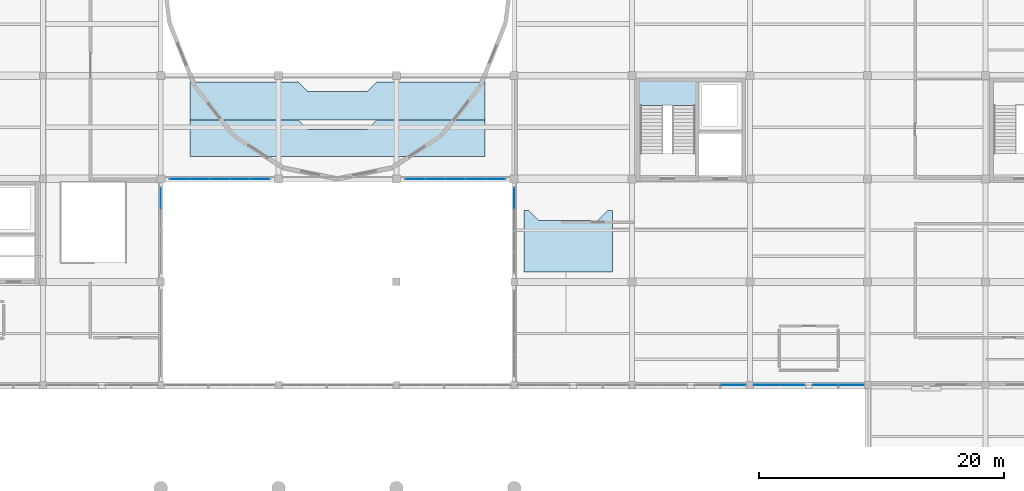
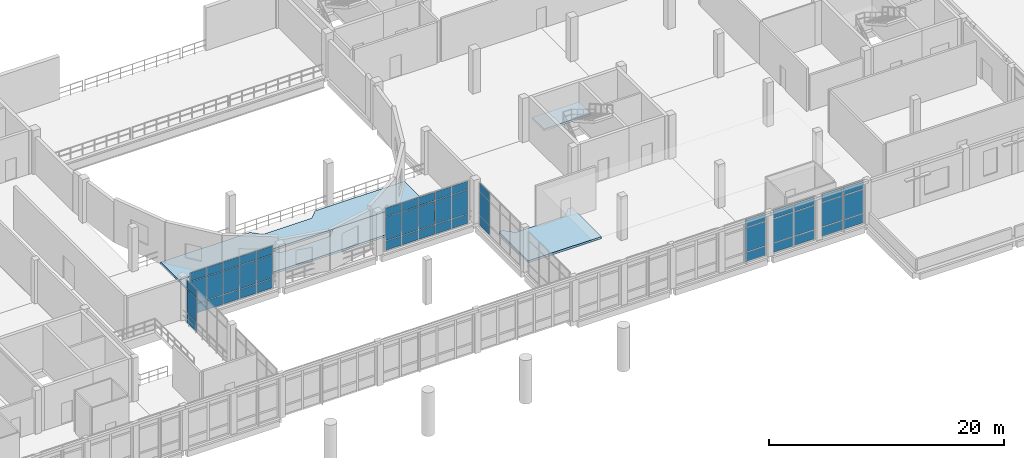
# One storey, part 66 of 88: 51 plates, 4 slabs, 8 elements without a shape of their own.
"""IFC4 building model written with IfcOpenShell, lengths in metres."""

from ifc_helpers import new_model, si_unit, direction, frame, origin, origin_2d, place, context, subcontext, project, spatial, polyline, rectangle, outline, extrude, material, layer, layer_set, type_object, element, aggregate, save


model = new_model("IFC4")

# Units and contexts
model_context = context("Model", 3, precision=1e-05, world=origin(), true_north=direction((0.0, 1.0)))
body_context = subcontext(model_context, "Body", "Model", "MODEL_VIEW")
ifc_project = project(units=[si_unit("LENGTHUNIT", "METRE"), si_unit("AREAUNIT", "SQUARE_METRE"), si_unit("VOLUMEUNIT", "CUBIC_METRE"), si_unit("PLANEANGLEUNIT", "RADIAN"), si_unit("MASSUNIT", "GRAM", prefix="KILO")], contexts=[model_context])

# Site, building, storey
site_placement = place(None, origin())
site = spatial("IfcSite", under=ifc_project, at=site_placement, CompositionType="ELEMENT")
building_placement = place(site_placement, origin())
building = spatial("IfcBuilding", under=site, at=building_placement, Name="Lornevale Opera House", CompositionType="ELEMENT")
storey_placement = place(building_placement, frame((0.0, 0.0, 10.199951171875)))
storey = spatial("IfcBuildingStorey", under=building, at=storey_placement, Name="L03", CompositionType="ELEMENT", Elevation=10.199951171875)

# Curtain wall, plates
ifc_material_1 = material(Name="Anodized Oxide-Green Aluminium Framing", Category="aluminium")
ifc_layer_1 = layer(ifc_material_1, 0.14990234375)
ifc_layer_set_1 = layer_set([ifc_layer_1], Name="Anodized Oxide-Green Aluminium Framing")
curtain_wall_type_1 = type_object("IfcCurtainWallType", Name="North-Light Clerestory Curtain Wall M1600", PredefinedType="NOTDEFINED", material=ifc_layer_set_1)
curtain_wall_1_placement = place(storey_placement, origin())
curtain_wall_1 = element("IfcCurtainWall", 1, at=curtain_wall_1_placement, inside=storey, type_object=curtain_wall_type_1, Name="North-Light Clerestory Curtain Wall M1600 CW-178", PredefinedType="NOTDEFINED")
ifc_material_2 = material(Name="Triple Low-E Insulated Glazing", Category="glass")
ifc_layer_2 = layer(ifc_material_2, 0.033935546875)
ifc_layer_set_2 = layer_set([ifc_layer_2], Name="Triple Low-E Insulated Glazing")
plate_type_1 = type_object("IfcPlateType", Name="Clerestory Diffusing Glazing Panel 34", PredefinedType="CURTAIN_PANEL", material=ifc_layer_set_2)
plate_1_placement = place(storey_placement, frame((67.199951171875, 32.010009765625, 0.06005859375), z_axis=(0.0, 0.0, 1.0), x_axis=(0.0, 1.0, 0.0)))
plate_1 = element("IfcPlate", 2, at=plate_1_placement, type_object=plate_type_1, Name="Clerestory Diffusing Glazing Panel 34 CW3736", PredefinedType="CURTAIN_PANEL", context=body_context, shape_type="SweptSolid", body=[
    extrude(rectangle(XDim=1.659912109375, YDim=0.033935546875, at=origin_2d()), origin(), (0.0, 0.0, 1.0), 0.9599609375),
])
plate_2_placement = place(storey_placement, frame((67.199951171875, 32.010009765625, 1.080078125), z_axis=(0.0, 0.0, 1.0), x_axis=(0.0, 1.0, 0.0)))
plate_2 = element("IfcPlate", 3, at=plate_2_placement, type_object=plate_type_1, Name="Clerestory Diffusing Glazing Panel 34 CW3737", PredefinedType="CURTAIN_PANEL", context=body_context, shape_type="SweptSolid", body=[
    extrude(rectangle(XDim=1.659912109375, YDim=0.033935546875, at=origin_2d()), origin(), (0.0, 0.0, 1.0), 2.43994140625),
])
plate_3_placement = place(storey_placement, frame((67.199951171875, 32.010009765625, 3.580078125), z_axis=(0.0, 0.0, 1.0), x_axis=(0.0, 1.0, 0.0)))
plate_3 = element("IfcPlate", 4, at=plate_3_placement, type_object=plate_type_1, Name="Clerestory Diffusing Glazing Panel 34 CW3738", PredefinedType="CURTAIN_PANEL", context=body_context, shape_type="SweptSolid", body=[
    extrude(rectangle(XDim=1.659912109375, YDim=0.033935546875, at=origin_2d()), origin(), (0.0, 0.0, 1.0), 0.860107421875),
])
aggregate(curtain_wall_1, [plate_1, plate_2, plate_3])

curtain_wall_2_placement = place(storey_placement, origin())
curtain_wall_2 = element("IfcCurtainWall", 5, at=curtain_wall_2_placement, inside=storey, type_object=curtain_wall_type_1, Name="North-Light Clerestory Curtain Wall M1600 CW-179", PredefinedType="NOTDEFINED")
plate_4_placement = place(storey_placement, frame((96.0, 32.010009765625, 0.06005859375), z_axis=(0.0, 0.0, 1.0), x_axis=(0.0, -1.0, 0.0)))
plate_4 = element("IfcPlate", 6, at=plate_4_placement, type_object=plate_type_1, Name="Clerestory Diffusing Glazing Panel 34 CW3748", PredefinedType="CURTAIN_PANEL", context=body_context, shape_type="SweptSolid", body=[
    extrude(rectangle(XDim=1.659912109375, YDim=0.033935546875, at=origin_2d()), origin(), (0.0, 0.0, 1.0), 0.9599609375),
])
plate_5_placement = place(storey_placement, frame((96.0, 32.010009765625, 1.080078125), z_axis=(0.0, 0.0, 1.0), x_axis=(0.0, -1.0, 0.0)))
plate_5 = element("IfcPlate", 7, at=plate_5_placement, type_object=plate_type_1, Name="Clerestory Diffusing Glazing Panel 34 CW3749", PredefinedType="CURTAIN_PANEL", context=body_context, shape_type="SweptSolid", body=[
    extrude(rectangle(XDim=1.659912109375, YDim=0.033935546875, at=origin_2d()), origin(), (0.0, 0.0, 1.0), 2.43994140625),
])
plate_6_placement = place(storey_placement, frame((96.0, 32.010009765625, 3.580078125), z_axis=(0.0, 0.0, 1.0), x_axis=(0.0, -1.0, 0.0)))
plate_6 = element("IfcPlate", 8, at=plate_6_placement, type_object=plate_type_1, Name="Clerestory Diffusing Glazing Panel 34 CW3750", PredefinedType="CURTAIN_PANEL", context=body_context, shape_type="SweptSolid", body=[
    extrude(rectangle(XDim=1.659912109375, YDim=0.033935546875, at=origin_2d()), origin(), (0.0, 0.0, 1.0), 0.860107421875),
])
aggregate(curtain_wall_2, [plate_4, plate_5, plate_6])

curtain_wall_3_placement = place(storey_placement, origin())
curtain_wall_3 = element("IfcCurtainWall", 9, at=curtain_wall_3_placement, inside=storey, type_object=curtain_wall_type_1, Name="North-Light Clerestory Curtain Wall M1600 CW-181", PredefinedType="NOTDEFINED")
plate_7_placement = place(storey_placement, frame((68.735107421875, 33.60009765625, 0.06005859375), z_axis=(0.0, 0.0, 1.0), x_axis=(1.0, 0.0, 0.0)))
plate_7 = element("IfcPlate", 10, at=plate_7_placement, type_object=plate_type_1, Name="Clerestory Diffusing Glazing Panel 34 CW3815", PredefinedType="CURTAIN_PANEL", context=body_context, shape_type="SweptSolid", body=[
    extrude(rectangle(XDim=1.550048828125, YDim=0.033935546875, at=origin_2d()), origin(), (0.0, 0.0, 1.0), 0.9599609375),
])
plate_8_placement = place(storey_placement, frame((68.735107421875, 33.60009765625, 1.080078125), z_axis=(0.0, 0.0, 1.0), x_axis=(1.0, 0.0, 0.0)))
plate_8 = element("IfcPlate", 11, at=plate_8_placement, type_object=plate_type_1, Name="Clerestory Diffusing Glazing Panel 34 CW3816", PredefinedType="CURTAIN_PANEL", context=body_context, shape_type="SweptSolid", body=[
    extrude(rectangle(XDim=1.550048828125, YDim=0.033935546875, at=origin_2d()), origin(), (0.0, 0.0, 1.0), 2.43994140625),
])
plate_9_placement = place(storey_placement, frame((68.735107421875, 33.60009765625, 3.580078125), z_axis=(0.0, 0.0, 1.0), x_axis=(1.0, 0.0, 0.0)))
plate_9 = element("IfcPlate", 12, at=plate_9_placement, type_object=plate_type_1, Name="Clerestory Diffusing Glazing Panel 34 CW3817", PredefinedType="CURTAIN_PANEL", context=body_context, shape_type="SweptSolid", body=[
    extrude(rectangle(XDim=1.550048828125, YDim=0.033935546875, at=origin_2d()), origin(), (0.0, 0.0, 1.0), 0.860107421875),
])
plate_10_placement = place(storey_placement, frame((70.360107421875, 33.60009765625, 0.06005859375), z_axis=(0.0, 0.0, 1.0), x_axis=(1.0, 0.0, 0.0)))
plate_10 = element("IfcPlate", 13, at=plate_10_placement, type_object=plate_type_1, Name="Clerestory Diffusing Glazing Panel 34 CW3822", PredefinedType="CURTAIN_PANEL", context=body_context, shape_type="SweptSolid", body=[
    extrude(rectangle(XDim=1.580078125, YDim=0.033935546875, at=origin_2d()), origin(), (0.0, 0.0, 1.0), 0.9599609375),
])
plate_11_placement = place(storey_placement, frame((70.360107421875, 33.60009765625, 1.080078125), z_axis=(0.0, 0.0, 1.0), x_axis=(1.0, 0.0, 0.0)))
plate_11 = element("IfcPlate", 14, at=plate_11_placement, type_object=plate_type_1, Name="Clerestory Diffusing Glazing Panel 34 CW3823", PredefinedType="CURTAIN_PANEL", context=body_context, shape_type="SweptSolid", body=[
    extrude(rectangle(XDim=1.580078125, YDim=0.033935546875, at=origin_2d()), origin(), (0.0, 0.0, 1.0), 2.43994140625),
])
plate_12_placement = place(storey_placement, frame((70.360107421875, 33.60009765625, 3.580078125), z_axis=(0.0, 0.0, 1.0), x_axis=(1.0, 0.0, 0.0)))
plate_12 = element("IfcPlate", 15, at=plate_12_placement, type_object=plate_type_1, Name="Clerestory Diffusing Glazing Panel 34 CW3824", PredefinedType="CURTAIN_PANEL", context=body_context, shape_type="SweptSolid", body=[
    extrude(rectangle(XDim=1.580078125, YDim=0.033935546875, at=origin_2d()), origin(), (0.0, 0.0, 1.0), 0.860107421875),
])
plate_13_placement = place(storey_placement, frame((72.0, 33.60009765625, 0.06005859375), z_axis=(0.0, 0.0, 1.0), x_axis=(1.0, 0.0, 0.0)))
plate_13 = element("IfcPlate", 16, at=plate_13_placement, type_object=plate_type_1, Name="Clerestory Diffusing Glazing Panel 34 CW3829", PredefinedType="CURTAIN_PANEL", context=body_context, shape_type="SweptSolid", body=[
    extrude(rectangle(XDim=1.580078125, YDim=0.033935546875, at=origin_2d()), origin(), (0.0, 0.0, 1.0), 0.9599609375),
])
plate_14_placement = place(storey_placement, frame((72.0, 33.60009765625, 1.080078125), z_axis=(0.0, 0.0, 1.0), x_axis=(1.0, 0.0, 0.0)))
plate_14 = element("IfcPlate", 17, at=plate_14_placement, type_object=plate_type_1, Name="Clerestory Diffusing Glazing Panel 34 CW3830", PredefinedType="CURTAIN_PANEL", context=body_context, shape_type="SweptSolid", body=[
    extrude(rectangle(XDim=1.580078125, YDim=0.033935546875, at=origin_2d()), origin(), (0.0, 0.0, 1.0), 2.43994140625),
])
plate_15_placement = place(storey_placement, frame((72.0, 33.60009765625, 3.580078125), z_axis=(0.0, 0.0, 1.0), x_axis=(1.0, 0.0, 0.0)))
plate_15 = element("IfcPlate", 18, at=plate_15_placement, type_object=plate_type_1, Name="Clerestory Diffusing Glazing Panel 34 CW3831", PredefinedType="CURTAIN_PANEL", context=body_context, shape_type="SweptSolid", body=[
    extrude(rectangle(XDim=1.580078125, YDim=0.033935546875, at=origin_2d()), origin(), (0.0, 0.0, 1.0), 0.860107421875),
])
plate_16_placement = place(storey_placement, frame((73.639892578125, 33.60009765625, 0.06005859375), z_axis=(0.0, 0.0, 1.0), x_axis=(1.0, 0.0, 0.0)))
plate_16 = element("IfcPlate", 19, at=plate_16_placement, type_object=plate_type_1, Name="Clerestory Diffusing Glazing Panel 34 CW3836", PredefinedType="CURTAIN_PANEL", context=body_context, shape_type="SweptSolid", body=[
    extrude(rectangle(XDim=1.580078125, YDim=0.033935546875, at=origin_2d()), origin(), (0.0, 0.0, 1.0), 0.9599609375),
])
plate_17_placement = place(storey_placement, frame((73.639892578125, 33.60009765625, 1.080078125), z_axis=(0.0, 0.0, 1.0), x_axis=(1.0, 0.0, 0.0)))
plate_17 = element("IfcPlate", 20, at=plate_17_placement, type_object=plate_type_1, Name="Clerestory Diffusing Glazing Panel 34 CW3837", PredefinedType="CURTAIN_PANEL", context=body_context, shape_type="SweptSolid", body=[
    extrude(rectangle(XDim=1.580078125, YDim=0.033935546875, at=origin_2d()), origin(), (0.0, 0.0, 1.0), 2.43994140625),
])
plate_18_placement = place(storey_placement, frame((73.639892578125, 33.60009765625, 3.580078125), z_axis=(0.0, 0.0, 1.0), x_axis=(1.0, 0.0, 0.0)))
plate_18 = element("IfcPlate", 21, at=plate_18_placement, type_object=plate_type_1, Name="Clerestory Diffusing Glazing Panel 34 CW3838", PredefinedType="CURTAIN_PANEL", context=body_context, shape_type="SweptSolid", body=[
    extrude(rectangle(XDim=1.580078125, YDim=0.033935546875, at=origin_2d()), origin(), (0.0, 0.0, 1.0), 0.860107421875),
])
plate_19_placement = place(storey_placement, frame((75.264892578125, 33.60009765625, 0.06005859375), z_axis=(0.0, 0.0, 1.0), x_axis=(1.0, 0.0, 0.0)))
plate_19 = element("IfcPlate", 22, at=plate_19_placement, type_object=plate_type_1, Name="Clerestory Diffusing Glazing Panel 34 CW3843", PredefinedType="CURTAIN_PANEL", context=body_context, shape_type="SweptSolid", body=[
    extrude(rectangle(XDim=1.550048828125, YDim=0.033935546875, at=origin_2d()), origin(), (0.0, 0.0, 1.0), 0.9599609375),
])
plate_20_placement = place(storey_placement, frame((75.264892578125, 33.60009765625, 1.080078125), z_axis=(0.0, 0.0, 1.0), x_axis=(1.0, 0.0, 0.0)))
plate_20 = element("IfcPlate", 23, at=plate_20_placement, type_object=plate_type_1, Name="Clerestory Diffusing Glazing Panel 34 CW3844", PredefinedType="CURTAIN_PANEL", context=body_context, shape_type="SweptSolid", body=[
    extrude(rectangle(XDim=1.550048828125, YDim=0.033935546875, at=origin_2d()), origin(), (0.0, 0.0, 1.0), 2.43994140625),
])
plate_21_placement = place(storey_placement, frame((75.264892578125, 33.60009765625, 3.580078125), z_axis=(0.0, 0.0, 1.0), x_axis=(1.0, 0.0, 0.0)))
plate_21 = element("IfcPlate", 24, at=plate_21_placement, type_object=plate_type_1, Name="Clerestory Diffusing Glazing Panel 34 CW3845", PredefinedType="CURTAIN_PANEL", context=body_context, shape_type="SweptSolid", body=[
    extrude(rectangle(XDim=1.550048828125, YDim=0.033935546875, at=origin_2d()), origin(), (0.0, 0.0, 1.0), 0.860107421875),
])
aggregate(curtain_wall_3, [plate_7, plate_8, plate_9, plate_10, plate_11, plate_12, plate_13, plate_14, plate_15, plate_16, plate_17, plate_18, plate_19, plate_20, plate_21])

curtain_wall_4_placement = place(storey_placement, origin())
curtain_wall_4 = element("IfcCurtainWall", 25, at=curtain_wall_4_placement, inside=storey, type_object=curtain_wall_type_1, Name="North-Light Clerestory Curtain Wall M1600 CW-182", PredefinedType="NOTDEFINED")
plate_22_placement = place(storey_placement, frame((87.93505859375, 33.60009765625, 0.06005859375), z_axis=(0.0, 0.0, 1.0), x_axis=(1.0, 0.0, 0.0)))
plate_22 = element("IfcPlate", 26, at=plate_22_placement, type_object=plate_type_1, Name="Clerestory Diffusing Glazing Panel 34 CW3856", PredefinedType="CURTAIN_PANEL", context=body_context, shape_type="SweptSolid", body=[
    extrude(rectangle(XDim=1.550048828125, YDim=0.033935546875, at=origin_2d()), origin(), (0.0, 0.0, 1.0), 0.9599609375),
])
plate_23_placement = place(storey_placement, frame((87.93505859375, 33.60009765625, 1.080078125), z_axis=(0.0, 0.0, 1.0), x_axis=(1.0, 0.0, 0.0)))
plate_23 = element("IfcPlate", 27, at=plate_23_placement, type_object=plate_type_1, Name="Clerestory Diffusing Glazing Panel 34 CW3857", PredefinedType="CURTAIN_PANEL", context=body_context, shape_type="SweptSolid", body=[
    extrude(rectangle(XDim=1.550048828125, YDim=0.033935546875, at=origin_2d()), origin(), (0.0, 0.0, 1.0), 2.43994140625),
])
plate_24_placement = place(storey_placement, frame((87.93505859375, 33.60009765625, 3.580078125), z_axis=(0.0, 0.0, 1.0), x_axis=(1.0, 0.0, 0.0)))
plate_24 = element("IfcPlate", 28, at=plate_24_placement, type_object=plate_type_1, Name="Clerestory Diffusing Glazing Panel 34 CW3858", PredefinedType="CURTAIN_PANEL", context=body_context, shape_type="SweptSolid", body=[
    extrude(rectangle(XDim=1.550048828125, YDim=0.033935546875, at=origin_2d()), origin(), (0.0, 0.0, 1.0), 0.860107421875),
])
plate_25_placement = place(storey_placement, frame((89.56005859375, 33.60009765625, 0.06005859375), z_axis=(0.0, 0.0, 1.0), x_axis=(1.0, 0.0, 0.0)))
plate_25 = element("IfcPlate", 29, at=plate_25_placement, type_object=plate_type_1, Name="Clerestory Diffusing Glazing Panel 34 CW3863", PredefinedType="CURTAIN_PANEL", context=body_context, shape_type="SweptSolid", body=[
    extrude(rectangle(XDim=1.580078125, YDim=0.033935546875, at=origin_2d()), origin(), (0.0, 0.0, 1.0), 0.9599609375),
])
plate_26_placement = place(storey_placement, frame((89.56005859375, 33.60009765625, 1.080078125), z_axis=(0.0, 0.0, 1.0), x_axis=(1.0, 0.0, 0.0)))
plate_26 = element("IfcPlate", 30, at=plate_26_placement, type_object=plate_type_1, Name="Clerestory Diffusing Glazing Panel 34 CW3864", PredefinedType="CURTAIN_PANEL", context=body_context, shape_type="SweptSolid", body=[
    extrude(rectangle(XDim=1.580078125, YDim=0.033935546875, at=origin_2d()), origin(), (0.0, 0.0, 1.0), 2.43994140625),
])
plate_27_placement = place(storey_placement, frame((89.56005859375, 33.60009765625, 3.580078125), z_axis=(0.0, 0.0, 1.0), x_axis=(1.0, 0.0, 0.0)))
plate_27 = element("IfcPlate", 31, at=plate_27_placement, type_object=plate_type_1, Name="Clerestory Diffusing Glazing Panel 34 CW3865", PredefinedType="CURTAIN_PANEL", context=body_context, shape_type="SweptSolid", body=[
    extrude(rectangle(XDim=1.580078125, YDim=0.033935546875, at=origin_2d()), origin(), (0.0, 0.0, 1.0), 0.860107421875),
])
plate_28_placement = place(storey_placement, frame((91.199951171875, 33.60009765625, 0.06005859375), z_axis=(0.0, 0.0, 1.0), x_axis=(1.0, 0.0, 0.0)))
plate_28 = element("IfcPlate", 32, at=plate_28_placement, type_object=plate_type_1, Name="Clerestory Diffusing Glazing Panel 34 CW3870", PredefinedType="CURTAIN_PANEL", context=body_context, shape_type="SweptSolid", body=[
    extrude(rectangle(XDim=1.580078125, YDim=0.033935546875, at=origin_2d()), origin(), (0.0, 0.0, 1.0), 0.9599609375),
])
plate_29_placement = place(storey_placement, frame((91.199951171875, 33.60009765625, 1.080078125), z_axis=(0.0, 0.0, 1.0), x_axis=(1.0, 0.0, 0.0)))
plate_29 = element("IfcPlate", 33, at=plate_29_placement, type_object=plate_type_1, Name="Clerestory Diffusing Glazing Panel 34 CW3871", PredefinedType="CURTAIN_PANEL", context=body_context, shape_type="SweptSolid", body=[
    extrude(rectangle(XDim=1.580078125, YDim=0.033935546875, at=origin_2d()), origin(), (0.0, 0.0, 1.0), 2.43994140625),
])
plate_30_placement = place(storey_placement, frame((91.199951171875, 33.60009765625, 3.580078125), z_axis=(0.0, 0.0, 1.0), x_axis=(1.0, 0.0, 0.0)))
plate_30 = element("IfcPlate", 34, at=plate_30_placement, type_object=plate_type_1, Name="Clerestory Diffusing Glazing Panel 34 CW3872", PredefinedType="CURTAIN_PANEL", context=body_context, shape_type="SweptSolid", body=[
    extrude(rectangle(XDim=1.580078125, YDim=0.033935546875, at=origin_2d()), origin(), (0.0, 0.0, 1.0), 0.860107421875),
])
plate_31_placement = place(storey_placement, frame((92.840087890625, 33.60009765625, 0.06005859375), z_axis=(0.0, 0.0, 1.0), x_axis=(1.0, 0.0, 0.0)))
plate_31 = element("IfcPlate", 35, at=plate_31_placement, type_object=plate_type_1, Name="Clerestory Diffusing Glazing Panel 34 CW3877", PredefinedType="CURTAIN_PANEL", context=body_context, shape_type="SweptSolid", body=[
    extrude(rectangle(XDim=1.580078125, YDim=0.033935546875, at=origin_2d()), origin(), (0.0, 0.0, 1.0), 0.9599609375),
])
plate_32_placement = place(storey_placement, frame((92.840087890625, 33.60009765625, 1.080078125), z_axis=(0.0, 0.0, 1.0), x_axis=(1.0, 0.0, 0.0)))
plate_32 = element("IfcPlate", 36, at=plate_32_placement, type_object=plate_type_1, Name="Clerestory Diffusing Glazing Panel 34 CW3878", PredefinedType="CURTAIN_PANEL", context=body_context, shape_type="SweptSolid", body=[
    extrude(rectangle(XDim=1.580078125, YDim=0.033935546875, at=origin_2d()), origin(), (0.0, 0.0, 1.0), 2.43994140625),
])
plate_33_placement = place(storey_placement, frame((92.840087890625, 33.60009765625, 3.580078125), z_axis=(0.0, 0.0, 1.0), x_axis=(1.0, 0.0, 0.0)))
plate_33 = element("IfcPlate", 37, at=plate_33_placement, type_object=plate_type_1, Name="Clerestory Diffusing Glazing Panel 34 CW3879", PredefinedType="CURTAIN_PANEL", context=body_context, shape_type="SweptSolid", body=[
    extrude(rectangle(XDim=1.580078125, YDim=0.033935546875, at=origin_2d()), origin(), (0.0, 0.0, 1.0), 0.860107421875),
])
plate_34_placement = place(storey_placement, frame((94.465087890625, 33.60009765625, 0.06005859375), z_axis=(0.0, 0.0, 1.0), x_axis=(1.0, 0.0, 0.0)))
plate_34 = element("IfcPlate", 38, at=plate_34_placement, type_object=plate_type_1, Name="Clerestory Diffusing Glazing Panel 34 CW3884", PredefinedType="CURTAIN_PANEL", context=body_context, shape_type="SweptSolid", body=[
    extrude(rectangle(XDim=1.550048828125, YDim=0.033935546875, at=origin_2d()), origin(), (0.0, 0.0, 1.0), 0.9599609375),
])
plate_35_placement = place(storey_placement, frame((94.465087890625, 33.60009765625, 1.080078125), z_axis=(0.0, 0.0, 1.0), x_axis=(1.0, 0.0, 0.0)))
plate_35 = element("IfcPlate", 39, at=plate_35_placement, type_object=plate_type_1, Name="Clerestory Diffusing Glazing Panel 34 CW3885", PredefinedType="CURTAIN_PANEL", context=body_context, shape_type="SweptSolid", body=[
    extrude(rectangle(XDim=1.550048828125, YDim=0.033935546875, at=origin_2d()), origin(), (0.0, 0.0, 1.0), 2.43994140625),
])
plate_36_placement = place(storey_placement, frame((94.465087890625, 33.60009765625, 3.580078125), z_axis=(0.0, 0.0, 1.0), x_axis=(1.0, 0.0, 0.0)))
plate_36 = element("IfcPlate", 40, at=plate_36_placement, type_object=plate_type_1, Name="Clerestory Diffusing Glazing Panel 34 CW3886", PredefinedType="CURTAIN_PANEL", context=body_context, shape_type="SweptSolid", body=[
    extrude(rectangle(XDim=1.550048828125, YDim=0.033935546875, at=origin_2d()), origin(), (0.0, 0.0, 1.0), 0.860107421875),
])
aggregate(curtain_wall_4, [plate_22, plate_23, plate_24, plate_25, plate_26, plate_27, plate_28, plate_29, plate_30, plate_31, plate_32, plate_33, plate_34, plate_35, plate_36])

# Slabs
ifc_material_3 = material(Name="Concrete 35 MPa (CSA A23.1 N)", Category="concrete")
ifc_layer_3 = layer(ifc_material_3, 0.2099609375)
ifc_layer_set_3 = layer_set([ifc_layer_3], Name="Concrete 35 MPa (CSA A23.1 N)")
slab_type_1 = type_object("IfcSlabType", Name="Raked Seating Tier Platform 210", PredefinedType="USERDEFINED", material=ifc_layer_set_3)
slab_1_placement = place(storey_placement, frame((0.0, 0.0, -0.010009765625)))
element("IfcSlab", 41, at=slab_1_placement, inside=storey, type_object=slab_type_1, Name="Raked Seating Tier Platform 210 SL-099", ObjectType="SEATING TIER", PredefinedType="USERDEFINED", context=body_context, shape_type="SweptSolid", body=[
    extrude(outline(polyline([(69.60009765625, 35.39990234375), (93.60009765625, 35.39990234375), (93.60009765625, 38.39990234375), (84.800048828125, 38.39990234375), (84.0, 37.60009765625), (79.199951171875, 37.60009765625), (78.39990234375, 38.39990234375), (69.60009765625, 38.39990234375), (69.60009765625, 35.39990234375)])), origin(), (0.0, 0.0, 1.0), 0.219970703125),
])
slab_2_placement = place(storey_placement, frame((0.0, 0.0, -0.010009765625)))
element("IfcSlab", 42, at=slab_2_placement, inside=storey, type_object=slab_type_1, Name="Raked Seating Tier Platform 210 SL-100", ObjectType="SEATING TIER", PredefinedType="USERDEFINED", context=body_context, shape_type="SweptSolid", body=[
    extrude(outline(polyline([(69.60009765625, 38.39990234375), (93.60009765625, 38.39990234375), (93.60009765625, 41.5), (84.800048828125, 41.5), (84.0, 40.699951171875), (79.199951171875, 40.699951171875), (78.39990234375, 41.5), (69.60009765625, 41.5), (69.60009765625, 38.39990234375)])), origin(), (0.0, 0.0, 1.0), 0.219970703125),
])
slab_3_placement = place(storey_placement, frame((0.0, 0.0, -0.010009765625)))
element("IfcSlab", 43, at=slab_3_placement, inside=storey, type_object=slab_type_1, Name="Raked Seating Tier Platform 210 SL-108", ObjectType="SEATING TIER", PredefinedType="USERDEFINED", context=body_context, shape_type="SweptSolid", body=[
    extrude(outline(polyline([(96.800048828125, 26.0), (104.0, 26.0), (104.0, 31.0), (103.60009765625, 31.0), (102.800048828125, 30.199951171875), (98.0, 30.199951171875), (97.199951171875, 31.0), (96.800048828125, 31.0), (96.800048828125, 26.0)])), origin(), (0.0, 0.0, 1.0), 0.219970703125),
])

# Stair, slab
ifc_layer_4 = layer(ifc_material_3, 4.800048828125)
ifc_layer_set_4 = layer_set([ifc_layer_4], Name="Concrete 35 MPa (CSA A23.1 N)")
stair_type = type_object("IfcStairType", Name="Protected Exit Stair 4800-W1840", PredefinedType="TWO_STRAIGHT_RUN_STAIR", material=ifc_layer_set_4)
stair_placement = place(storey_placement, origin())
stair = element("IfcStair", 44, at=stair_placement, inside=storey, type_object=stair_type, Name="South-East Foyer Core Stair ST-08 (L03-L04)", PredefinedType="TWO_STRAIGHT_RUN_STAIR")
ifc_layer_5 = layer(ifc_material_3, 0.219970703125)
ifc_layer_set_5 = layer_set([ifc_layer_5], Name="Concrete 35 MPa (CSA A23.1 N)")
slab_type_2 = type_object("IfcSlabType", Name="Stair Half-Landing Slab 220", PredefinedType="LANDING", material=ifc_layer_set_5)
slab_4_placement = place(storey_placement, frame((0.0, 0.0, 2.179931640625)))
slab_4 = element("IfcSlab", 45, at=slab_4_placement, type_object=slab_type_2, Name="ST-08 Half-Landing SL-LND-008", PredefinedType="LANDING", context=body_context, shape_type="SweptSolid", body=[
    extrude(outline(polyline([(106.199951171875, 39.56005859375), (110.800048828125, 39.56005859375), (110.800048828125, 41.580078125), (106.199951171875, 41.580078125), (106.199951171875, 39.56005859375)])), origin(), (0.0, 0.0, 1.0), 0.22021484375),
])
aggregate(stair, [slab_4])

# Curtain wall, plates
ifc_layer_6 = layer(ifc_material_1, 0.219970703125)
ifc_layer_set_6 = layer_set([ifc_layer_6], Name="Anodized Oxide-Green Aluminium Framing")
curtain_wall_type_2 = type_object("IfcCurtainWallType", Name="Winter-Garden Curtain Wall M1900", PredefinedType="NOTDEFINED", material=ifc_layer_set_6)
curtain_wall_5_placement = place(storey_placement, origin())
curtain_wall_5 = element("IfcCurtainWall", 46, at=curtain_wall_5_placement, inside=storey, type_object=curtain_wall_type_2, Name="Winter-Garden Curtain Wall M1900 CW-141", PredefinedType="NOTDEFINED")
ifc_layer_7 = layer(ifc_material_2, 0.0380859375)
ifc_layer_set_7 = layer_set([ifc_layer_7], Name="Triple Low-E Insulated Glazing")
plate_type_2 = type_object("IfcPlateType", Name="Triple Low-E Vision Panel 38", PredefinedType="CURTAIN_PANEL", material=ifc_layer_set_7)
plate_37_placement = place(storey_placement, frame((113.829345703125, 16.800048828125, 0.0751953125), z_axis=(0.0, 0.0, 1.0), x_axis=(-1.0, 0.0, 0.0)))
plate_37 = element("IfcPlate", 47, at=plate_37_placement, type_object=plate_type_2, Name="Triple Low-E Vision Panel 38 CW2956", PredefinedType="CURTAIN_PANEL", context=body_context, shape_type="SweptSolid", body=[
    extrude(rectangle(XDim=1.99951171875, YDim=0.0380859375, at=origin_2d()), origin(), (0.0, 0.0, 1.0), 0.9375),
])
plate_38_placement = place(storey_placement, frame((113.829345703125, 16.800048828125, 1.08740234375), z_axis=(0.0, 0.0, 1.0), x_axis=(-1.0, 0.0, 0.0)))
plate_38 = element("IfcPlate", 48, at=plate_38_placement, type_object=plate_type_2, Name="Triple Low-E Vision Panel 38 CW2957", PredefinedType="CURTAIN_PANEL", context=body_context, shape_type="SweptSolid", body=[
    extrude(rectangle(XDim=1.99951171875, YDim=0.0380859375, at=origin_2d()), origin(), (0.0, 0.0, 1.0), 2.465087890625),
])
plate_39_placement = place(storey_placement, frame((113.829345703125, 16.800048828125, 3.62744140625), z_axis=(0.0, 0.0, 1.0), x_axis=(-1.0, 0.0, 0.0)))
plate_39 = element("IfcPlate", 49, at=plate_39_placement, type_object=plate_type_2, Name="Triple Low-E Vision Panel 38 CW2958", PredefinedType="CURTAIN_PANEL", context=body_context, shape_type="SweptSolid", body=[
    extrude(rectangle(XDim=1.99951171875, YDim=0.0380859375, at=origin_2d()), origin(), (0.0, 0.0, 1.0), 0.83740234375),
])
aggregate(curtain_wall_5, [plate_37, plate_38, plate_39])

curtain_wall_6_placement = place(storey_placement, origin())
curtain_wall_6 = element("IfcCurtainWall", 50, at=curtain_wall_6_placement, inside=storey, type_object=curtain_wall_type_2, Name="Winter-Garden Curtain Wall M1900 CW-143", PredefinedType="NOTDEFINED")
plate_40_placement = place(storey_placement, frame((123.447998046875, 16.800048828125, 0.0751953125), z_axis=(0.0, 0.0, 1.0), x_axis=(-1.0, 0.0, 0.0)))
plate_40 = element("IfcPlate", 51, at=plate_40_placement, type_object=plate_type_2, Name="Triple Low-E Vision Panel 38 CW2990", PredefinedType="CURTAIN_PANEL", context=body_context, shape_type="SweptSolid", body=[
    extrude(rectangle(XDim=2.011962890625, YDim=0.0380859375, at=origin_2d()), origin(), (0.0, 0.0, 1.0), 0.9375),
])
plate_41_placement = place(storey_placement, frame((123.447998046875, 16.800048828125, 1.08740234375), z_axis=(0.0, 0.0, 1.0), x_axis=(-1.0, 0.0, 0.0)))
plate_41 = element("IfcPlate", 52, at=plate_41_placement, type_object=plate_type_2, Name="Triple Low-E Vision Panel 38 CW2991", PredefinedType="CURTAIN_PANEL", context=body_context, shape_type="SweptSolid", body=[
    extrude(rectangle(XDim=2.011962890625, YDim=0.0380859375, at=origin_2d()), origin(), (0.0, 0.0, 1.0), 2.465087890625),
])
plate_42_placement = place(storey_placement, frame((123.447998046875, 16.800048828125, 3.62744140625), z_axis=(0.0, 0.0, 1.0), x_axis=(-1.0, 0.0, 0.0)))
plate_42 = element("IfcPlate", 53, at=plate_42_placement, type_object=plate_type_2, Name="Triple Low-E Vision Panel 38 CW2992", PredefinedType="CURTAIN_PANEL", context=body_context, shape_type="SweptSolid", body=[
    extrude(rectangle(XDim=2.011962890625, YDim=0.0380859375, at=origin_2d()), origin(), (0.0, 0.0, 1.0), 0.83740234375),
])
plate_43_placement = place(storey_placement, frame((121.361083984375, 16.800048828125, 0.0751953125), z_axis=(0.0, 0.0, 1.0), x_axis=(-1.0, 0.0, 0.0)))
plate_43 = element("IfcPlate", 54, at=plate_43_placement, type_object=plate_type_2, Name="Triple Low-E Vision Panel 38 CW2997", PredefinedType="CURTAIN_PANEL", context=body_context, shape_type="SweptSolid", body=[
    extrude(rectangle(XDim=2.011962890625, YDim=0.0380859375, at=origin_2d()), origin(), (0.0, 0.0, 1.0), 0.9375),
])
plate_44_placement = place(storey_placement, frame((121.361083984375, 16.800048828125, 1.08740234375), z_axis=(0.0, 0.0, 1.0), x_axis=(-1.0, 0.0, 0.0)))
plate_44 = element("IfcPlate", 55, at=plate_44_placement, type_object=plate_type_2, Name="Triple Low-E Vision Panel 38 CW2998", PredefinedType="CURTAIN_PANEL", context=body_context, shape_type="SweptSolid", body=[
    extrude(rectangle(XDim=2.011962890625, YDim=0.0380859375, at=origin_2d()), origin(), (0.0, 0.0, 1.0), 2.465087890625),
])
plate_45_placement = place(storey_placement, frame((121.361083984375, 16.800048828125, 3.62744140625), z_axis=(0.0, 0.0, 1.0), x_axis=(-1.0, 0.0, 0.0)))
plate_45 = element("IfcPlate", 56, at=plate_45_placement, type_object=plate_type_2, Name="Triple Low-E Vision Panel 38 CW2999", PredefinedType="CURTAIN_PANEL", context=body_context, shape_type="SweptSolid", body=[
    extrude(rectangle(XDim=2.011962890625, YDim=0.0380859375, at=origin_2d()), origin(), (0.0, 0.0, 1.0), 0.83740234375),
])
aggregate(curtain_wall_6, [plate_40, plate_41, plate_42, plate_43, plate_44, plate_45])

curtain_wall_7_placement = place(storey_placement, origin())
curtain_wall_7 = element("IfcCurtainWall", 57, at=curtain_wall_7_placement, inside=storey, type_object=curtain_wall_type_2, Name="Winter-Garden Curtain Wall M1900 CW-144", PredefinedType="NOTDEFINED")
plate_46_placement = place(storey_placement, frame((118.645263671875, 16.800048828125, 0.0751953125), z_axis=(0.0, 0.0, 1.0), x_axis=(-1.0, 0.0, 0.0)))
plate_46 = element("IfcPlate", 58, at=plate_46_placement, type_object=plate_type_2, Name="Triple Low-E Vision Panel 38 CW3007", PredefinedType="CURTAIN_PANEL", context=body_context, shape_type="SweptSolid", body=[
    extrude(rectangle(XDim=1.99951171875, YDim=0.0380859375, at=origin_2d()), origin(), (0.0, 0.0, 1.0), 0.9375),
])
plate_47_placement = place(storey_placement, frame((118.645263671875, 16.800048828125, 1.08740234375), z_axis=(0.0, 0.0, 1.0), x_axis=(-1.0, 0.0, 0.0)))
plate_47 = element("IfcPlate", 59, at=plate_47_placement, type_object=plate_type_2, Name="Triple Low-E Vision Panel 38 CW3008", PredefinedType="CURTAIN_PANEL", context=body_context, shape_type="SweptSolid", body=[
    extrude(rectangle(XDim=1.99951171875, YDim=0.0380859375, at=origin_2d()), origin(), (0.0, 0.0, 1.0), 2.465087890625),
])
plate_48_placement = place(storey_placement, frame((118.645263671875, 16.800048828125, 3.62744140625), z_axis=(0.0, 0.0, 1.0), x_axis=(-1.0, 0.0, 0.0)))
plate_48 = element("IfcPlate", 60, at=plate_48_placement, type_object=plate_type_2, Name="Triple Low-E Vision Panel 38 CW3009", PredefinedType="CURTAIN_PANEL", context=body_context, shape_type="SweptSolid", body=[
    extrude(rectangle(XDim=1.99951171875, YDim=0.0380859375, at=origin_2d()), origin(), (0.0, 0.0, 1.0), 0.83740234375),
])
plate_49_placement = place(storey_placement, frame((116.57080078125, 16.800048828125, 0.0751953125), z_axis=(0.0, 0.0, 1.0), x_axis=(-1.0, 0.0, 0.0)))
plate_49 = element("IfcPlate", 61, at=plate_49_placement, type_object=plate_type_2, Name="Triple Low-E Vision Panel 38 CW3014", PredefinedType="CURTAIN_PANEL", context=body_context, shape_type="SweptSolid", body=[
    extrude(rectangle(XDim=1.99951171875, YDim=0.0380859375, at=origin_2d()), origin(), (0.0, 0.0, 1.0), 0.9375),
])
plate_50_placement = place(storey_placement, frame((116.57080078125, 16.800048828125, 1.08740234375), z_axis=(0.0, 0.0, 1.0), x_axis=(-1.0, 0.0, 0.0)))
plate_50 = element("IfcPlate", 62, at=plate_50_placement, type_object=plate_type_2, Name="Triple Low-E Vision Panel 38 CW3015", PredefinedType="CURTAIN_PANEL", context=body_context, shape_type="SweptSolid", body=[
    extrude(rectangle(XDim=1.99951171875, YDim=0.0380859375, at=origin_2d()), origin(), (0.0, 0.0, 1.0), 2.465087890625),
])
plate_51_placement = place(storey_placement, frame((116.57080078125, 16.800048828125, 3.62744140625), z_axis=(0.0, 0.0, 1.0), x_axis=(-1.0, 0.0, 0.0)))
plate_51 = element("IfcPlate", 63, at=plate_51_placement, type_object=plate_type_2, Name="Triple Low-E Vision Panel 38 CW3016", PredefinedType="CURTAIN_PANEL", context=body_context, shape_type="SweptSolid", body=[
    extrude(rectangle(XDim=1.99951171875, YDim=0.0380859375, at=origin_2d()), origin(), (0.0, 0.0, 1.0), 0.83740234375),
])
aggregate(curtain_wall_7, [plate_46, plate_47, plate_48, plate_49, plate_50, plate_51])

save(model, "model.ifc")
